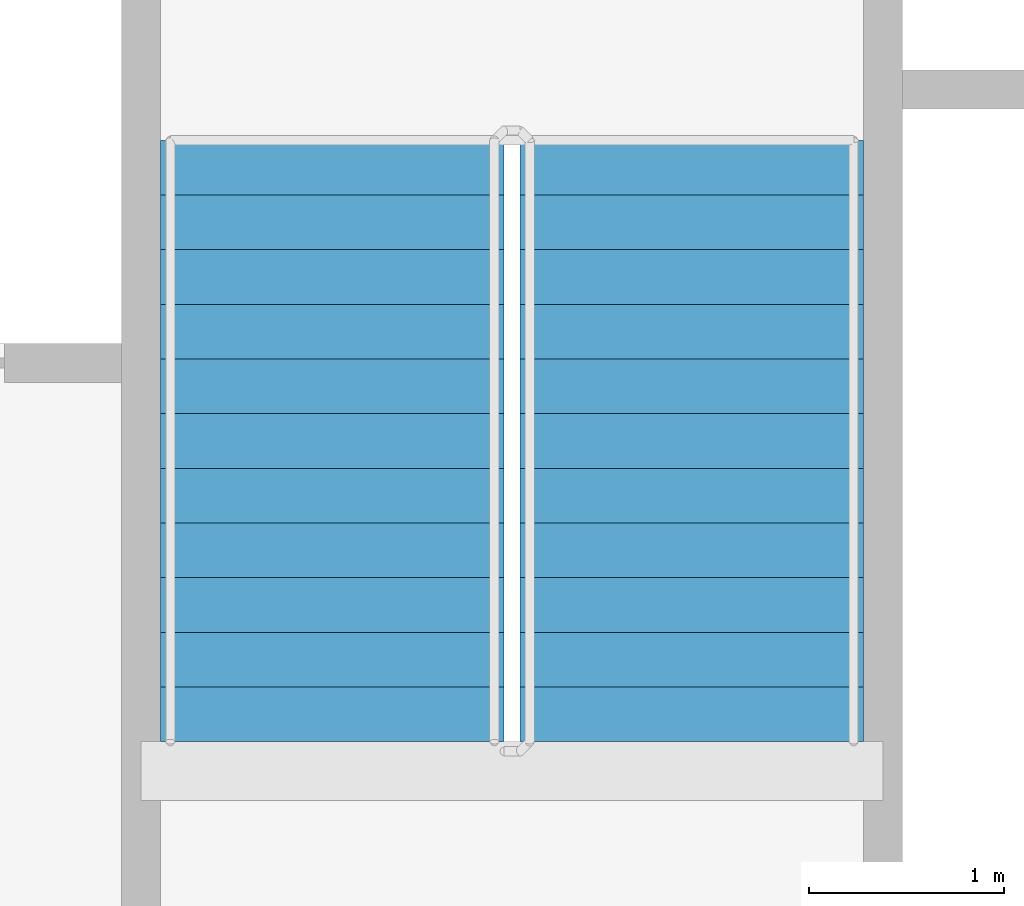
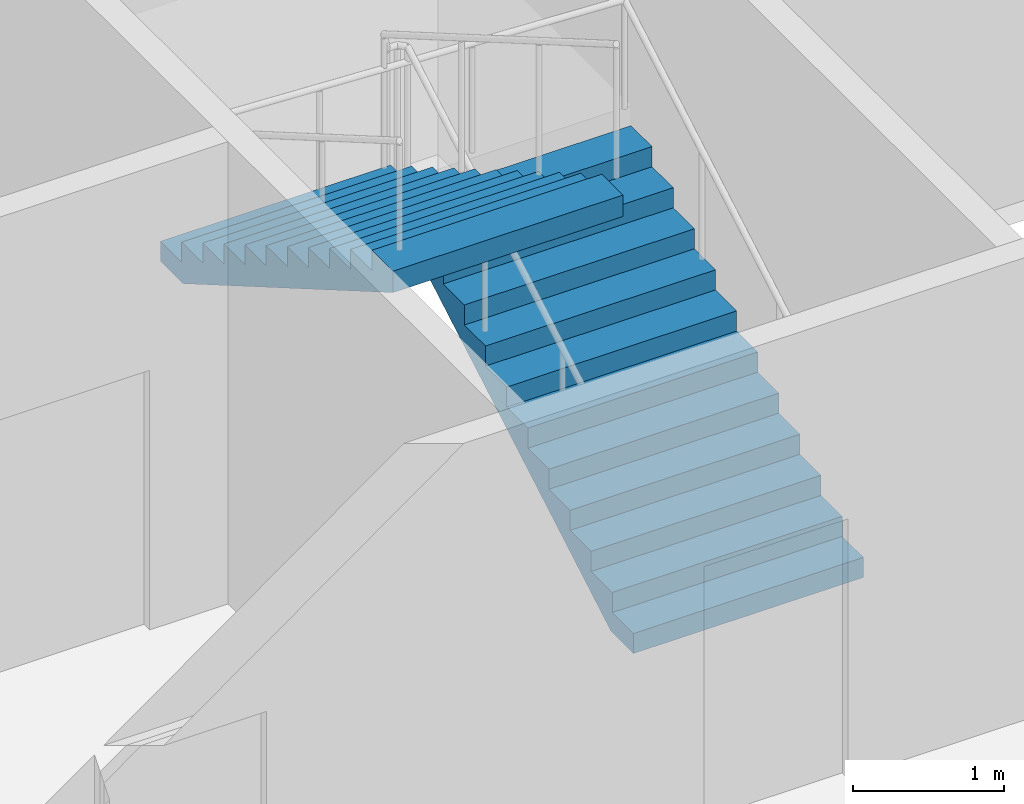
# One storey, part 16 of 21: 2 stair flights, 1 element without a shape of its own.
"""IFC4 building model written with IfcOpenShell, lengths in metres."""

from ifc_helpers import new_model, si_unit, direction, frame, origin, place, context, subcontext, project, spatial, faceted_brep, material, type_object, element, aggregate, save


model = new_model("IFC4")

# Units and contexts
model_context = context("Model", 3, precision=1e-05, world=origin(), true_north=direction((0.0, 1.0)))
body_context = subcontext(model_context, "Body", "Model", "MODEL_VIEW")
ifc_project = project(units=[si_unit("LENGTHUNIT", "METRE"), si_unit("AREAUNIT", "SQUARE_METRE"), si_unit("VOLUMEUNIT", "CUBIC_METRE"), si_unit("PLANEANGLEUNIT", "RADIAN"), si_unit("MASSUNIT", "GRAM", prefix="KILO")], contexts=[model_context])

# Site, building, storey
site_placement = place(None, origin())
site = spatial("IfcSite", under=ifc_project, at=site_placement, CompositionType="ELEMENT")
building_placement = place(site_placement, origin())
building = spatial("IfcBuilding", under=site, at=building_placement, Name="Tarsis Ring Headquarters", CompositionType="ELEMENT")
storey_placement = place(building_placement, frame((0.0, 0.0, 255.199951171875)))
storey = spatial("IfcBuildingStorey", under=building, at=storey_placement, Name="L59", CompositionType="ELEMENT", Elevation=255.199951171875)

# Stair, stair flights
ifc_material_1 = material(Name="Core stair 1760")
stair_type = type_object("IfcStairType", Name="Core stair 1760", PredefinedType="HALF_TURN_STAIR", material=ifc_material_1)
stair_placement = place(storey_placement, origin())
stair = element("IfcStair", 1, at=stair_placement, inside=storey, type_object=stair_type, Name="L59 Exit stair B", PredefinedType="HALF_TURN_STAIR")
ifc_material_2 = material(Name="Concrete C40/50", Category="concrete")
stair_flight_type = type_object("IfcStairFlightType", Name="Core stair flight 1760", PredefinedType="STRAIGHT", material=ifc_material_2)
stair_flight_1_placement = place(storey_placement, frame((5.419921875, 3.659912109375, 0.0), z_axis=(0.0, 0.0, 1.0), x_axis=(0.0, 1.0, 0.0)))
stair_flight_1 = element("IfcStairFlight", 2, at=stair_flight_1_placement, type_object=stair_flight_type, Name="Stair ST2 flight 1", NumberOfRisers=12, NumberOfTreads=11, PredefinedType="STRAIGHT", RiserHeight=0.1625, TreadLength=0.28, context=body_context, shape_type="Brep", body=[
    faceted_brep([(0.0, 0.8798828125, 0.0), (0.0, 0.8798828125, 0.16259765625), (0.280029296875, 0.8798828125, 0.16259765625), (0.280029296875, 0.8798828125, 0.324951171875), (0.56005859375, 0.8798828125, 0.324951171875), (0.56005859375, 0.8798828125, 0.487548828125), (0.840087890625, 0.8798828125, 0.487548828125), (0.840087890625, 0.8798828125, 0.64990234375), (1.1201171875, 0.8798828125, 0.64990234375), (1.1201171875, 0.8798828125, 0.8125), (1.39990234375, 0.8798828125, 0.8125), (1.39990234375, 0.8798828125, 0.97509765625), (1.679931640625, 0.8798828125, 0.97509765625), (1.679931640625, 0.8798828125, 1.137451171875), (1.9599609375, 0.8798828125, 1.137451171875), (1.9599609375, 0.8798828125, 1.300048828125), (2.239990234375, 0.8798828125, 1.300048828125), (2.239990234375, 0.8798828125, 1.46240234375), (2.52001953125, 0.8798828125, 1.46240234375), (2.52001953125, 0.8798828125, 1.625), (2.800048828125, 0.8798828125, 1.625), (2.800048828125, 0.8798828125, 1.78759765625), (3.080078125, 0.8798828125, 1.78759765625), (3.080078125, 0.8798828125, 1.6142578125), (0.298583984375, 0.8798828125, 0.0), (0.298583984375, -0.8798828125, 0.0), (3.080078125, -0.8798828125, 1.6142578125), (3.080078125, -0.8798828125, 1.78759765625), (2.800048828125, -0.8798828125, 1.78759765625), (2.800048828125, -0.8798828125, 1.625), (2.52001953125, -0.8798828125, 1.625), (2.52001953125, -0.8798828125, 1.46240234375), (2.239990234375, -0.8798828125, 1.46240234375), (2.239990234375, -0.8798828125, 1.300048828125), (1.9599609375, -0.8798828125, 1.300048828125), (1.9599609375, -0.8798828125, 1.137451171875), (1.679931640625, -0.8798828125, 1.137451171875), (1.679931640625, -0.8798828125, 0.97509765625), (1.39990234375, -0.8798828125, 0.97509765625), (1.39990234375, -0.8798828125, 0.8125), (1.1201171875, -0.8798828125, 0.8125), (1.1201171875, -0.8798828125, 0.64990234375), (0.840087890625, -0.8798828125, 0.64990234375), (0.840087890625, -0.8798828125, 0.487548828125), (0.56005859375, -0.8798828125, 0.487548828125), (0.56005859375, -0.8798828125, 0.324951171875), (0.280029296875, -0.8798828125, 0.324951171875), (0.280029296875, -0.8798828125, 0.16259765625), (0.0, -0.8798828125, 0.16259765625), (0.0, -0.8798828125, 0.0), (0.0, -0.43994140625, 0.16259765625), (0.0, -0.43994140625, 0.0), (0.0, 0.0, 0.16259765625), (0.0, 0.0, 0.0), (0.0, 0.43994140625, 0.16259765625), (0.0, 0.43994140625, 0.0), (0.280029296875, -0.43994140625, 0.16259765625), (0.280029296875, 0.0, 0.16259765625), (0.280029296875, 0.43994140625, 0.16259765625), (0.280029296875, -0.43994140625, 0.324951171875), (0.280029296875, 0.0, 0.324951171875), (0.280029296875, 0.43994140625, 0.324951171875), (0.56005859375, -0.43994140625, 0.324951171875), (0.56005859375, 0.0, 0.324951171875), (0.56005859375, 0.43994140625, 0.324951171875), (0.56005859375, -0.43994140625, 0.487548828125), (0.56005859375, 0.0, 0.487548828125), (0.56005859375, 0.43994140625, 0.487548828125), (0.840087890625, -0.43994140625, 0.487548828125), (0.840087890625, 0.0, 0.487548828125), (0.840087890625, 0.43994140625, 0.487548828125), (0.840087890625, -0.43994140625, 0.64990234375), (0.840087890625, 0.0, 0.64990234375), (0.840087890625, 0.43994140625, 0.64990234375), (1.1201171875, -0.43994140625, 0.64990234375), (1.1201171875, 0.0, 0.64990234375), (1.1201171875, 0.43994140625, 0.64990234375), (1.1201171875, -0.43994140625, 0.8125), (1.1201171875, 0.0, 0.8125), (1.1201171875, 0.43994140625, 0.8125), (1.39990234375, -0.43994140625, 0.8125), (1.39990234375, 0.0, 0.8125), (1.39990234375, 0.43994140625, 0.8125), (1.39990234375, -0.43994140625, 0.97509765625), (1.39990234375, 0.0, 0.97509765625), (1.39990234375, 0.43994140625, 0.97509765625), (1.679931640625, -0.43994140625, 0.97509765625), (1.679931640625, 0.0, 0.97509765625), (1.679931640625, 0.43994140625, 0.97509765625), (1.679931640625, -0.43994140625, 1.137451171875), (1.679931640625, 0.0, 1.137451171875), (1.679931640625, 0.43994140625, 1.137451171875), (1.9599609375, -0.43994140625, 1.137451171875), (1.9599609375, 0.0, 1.137451171875), (1.9599609375, 0.43994140625, 1.137451171875), (1.9599609375, -0.43994140625, 1.300048828125), (1.9599609375, 0.0, 1.300048828125), (1.9599609375, 0.43994140625, 1.300048828125), (2.239990234375, -0.43994140625, 1.300048828125), (2.239990234375, 0.0, 1.300048828125), (2.239990234375, 0.43994140625, 1.300048828125), (2.239990234375, -0.43994140625, 1.46240234375), (2.239990234375, 0.0, 1.46240234375), (2.239990234375, 0.43994140625, 1.46240234375), (2.52001953125, -0.43994140625, 1.46240234375), (2.52001953125, 0.0, 1.46240234375), (2.52001953125, 0.43994140625, 1.46240234375), (2.52001953125, -0.43994140625, 1.625), (2.52001953125, 0.0, 1.625), (2.52001953125, 0.43994140625, 1.625), (2.800048828125, -0.43994140625, 1.625), (2.800048828125, 0.0, 1.625), (2.800048828125, 0.43994140625, 1.625), (2.800048828125, -0.43994140625, 1.78759765625), (2.800048828125, 0.0, 1.78759765625), (2.800048828125, 0.43994140625, 1.78759765625), (3.080078125, -0.43994140625, 1.78759765625), (3.080078125, 0.0, 1.78759765625), (3.080078125, 0.43994140625, 1.78759765625), (3.080078125, -0.43994140625, 1.6142578125), (3.080078125, 0.0, 1.6142578125), (3.080078125, 0.43994140625, 1.6142578125), (0.298583984375, -0.43994140625, 0.0), (0.298583984375, 0.0, 0.0), (0.298583984375, 0.43994140625, 0.0)], [[[0, 1, 2, 3, 4, 5, 6, 7, 8, 9, 10, 11, 12, 13, 14, 15, 16, 17, 18, 19, 20, 21, 22, 23, 24]], [[25, 26, 27, 28, 29, 30, 31, 32, 33, 34, 35, 36, 37, 38, 39, 40, 41, 42, 43, 44, 45, 46, 47, 48, 49]], [[49, 48, 50, 51]], [[51, 50, 52, 53]], [[53, 52, 54, 55]], [[55, 54, 1, 0]], [[48, 47, 56, 50]], [[50, 56, 57, 52]], [[52, 57, 58, 54]], [[54, 58, 2, 1]], [[47, 46, 59, 56]], [[56, 59, 60, 57]], [[57, 60, 61, 58]], [[58, 61, 3, 2]], [[46, 45, 62, 59]], [[59, 62, 63, 60]], [[60, 63, 64, 61]], [[61, 64, 4, 3]], [[45, 44, 65, 62]], [[62, 65, 66, 63]], [[63, 66, 67, 64]], [[64, 67, 5, 4]], [[44, 43, 68, 65]], [[65, 68, 69, 66]], [[66, 69, 70, 67]], [[67, 70, 6, 5]], [[43, 42, 71, 68]], [[68, 71, 72, 69]], [[69, 72, 73, 70]], [[70, 73, 7, 6]], [[42, 41, 74, 71]], [[71, 74, 75, 72]], [[72, 75, 76, 73]], [[73, 76, 8, 7]], [[41, 40, 77, 74]], [[74, 77, 78, 75]], [[75, 78, 79, 76]], [[76, 79, 9, 8]], [[40, 39, 80, 77]], [[77, 80, 81, 78]], [[78, 81, 82, 79]], [[79, 82, 10, 9]], [[39, 38, 83, 80]], [[80, 83, 84, 81]], [[81, 84, 85, 82]], [[82, 85, 11, 10]], [[38, 37, 86, 83]], [[83, 86, 87, 84]], [[84, 87, 88, 85]], [[85, 88, 12, 11]], [[37, 36, 89, 86]], [[86, 89, 90, 87]], [[87, 90, 91, 88]], [[88, 91, 13, 12]], [[36, 35, 92, 89]], [[89, 92, 93, 90]], [[90, 93, 94, 91]], [[91, 94, 14, 13]], [[35, 34, 95, 92]], [[92, 95, 96, 93]], [[93, 96, 97, 94]], [[94, 97, 15, 14]], [[34, 33, 98, 95]], [[95, 98, 99, 96]], [[96, 99, 100, 97]], [[97, 100, 16, 15]], [[33, 32, 101, 98]], [[98, 101, 102, 99]], [[99, 102, 103, 100]], [[100, 103, 17, 16]], [[32, 31, 104, 101]], [[101, 104, 105, 102]], [[102, 105, 106, 103]], [[103, 106, 18, 17]], [[31, 30, 107, 104]], [[104, 107, 108, 105]], [[105, 108, 109, 106]], [[106, 109, 19, 18]], [[30, 29, 110, 107]], [[107, 110, 111, 108]], [[108, 111, 112, 109]], [[109, 112, 20, 19]], [[29, 28, 113, 110]], [[110, 113, 114, 111]], [[111, 114, 115, 112]], [[112, 115, 21, 20]], [[28, 27, 116, 113]], [[113, 116, 117, 114]], [[114, 117, 118, 115]], [[115, 118, 22, 21]], [[27, 26, 119, 116]], [[116, 119, 120, 117]], [[117, 120, 121, 118]], [[118, 121, 23, 22]], [[26, 25, 122, 119]], [[119, 122, 123, 120]], [[120, 123, 124, 121]], [[121, 124, 24, 23]], [[25, 49, 51, 122]], [[122, 51, 53, 123]], [[123, 53, 55, 124]], [[124, 55, 0, 24]]]),
])
stair_flight_2_placement = place(storey_placement, frame((3.580078125, 6.739990234375, 1.949951171875), z_axis=(0.0, 0.0, 1.0), x_axis=(0.0, -1.0, 0.0)))
stair_flight_2 = element("IfcStairFlight", 3, at=stair_flight_2_placement, type_object=stair_flight_type, Name="Stair ST2 flight 2", NumberOfRisers=12, NumberOfTreads=11, PredefinedType="STRAIGHT", RiserHeight=0.1625, TreadLength=0.28, context=body_context, shape_type="Brep", body=[
    faceted_brep([(0.0, 0.8798828125, 0.0), (0.0, 0.8798828125, 0.16259765625), (0.280029296875, 0.8798828125, 0.16259765625), (0.280029296875, 0.8798828125, 0.324951171875), (0.56005859375, 0.8798828125, 0.324951171875), (0.56005859375, 0.8798828125, 0.487548828125), (0.840087890625, 0.8798828125, 0.487548828125), (0.840087890625, 0.8798828125, 0.64990234375), (1.1201171875, 0.8798828125, 0.64990234375), (1.1201171875, 0.8798828125, 0.8125), (1.39990234375, 0.8798828125, 0.8125), (1.39990234375, 0.8798828125, 0.97509765625), (1.679931640625, 0.8798828125, 0.97509765625), (1.679931640625, 0.8798828125, 1.137451171875), (1.9599609375, 0.8798828125, 1.137451171875), (1.9599609375, 0.8798828125, 1.300048828125), (2.239990234375, 0.8798828125, 1.300048828125), (2.239990234375, 0.8798828125, 1.46240234375), (2.52001953125, 0.8798828125, 1.46240234375), (2.52001953125, 0.8798828125, 1.625), (2.800048828125, 0.8798828125, 1.625), (2.800048828125, 0.8798828125, 1.78759765625), (3.080078125, 0.8798828125, 1.78759765625), (3.080078125, 0.8798828125, 1.6142578125), (0.298583984375, 0.8798828125, 0.0), (0.298583984375, -0.8798828125, 0.0), (3.080078125, -0.8798828125, 1.6142578125), (3.080078125, -0.8798828125, 1.78759765625), (2.800048828125, -0.8798828125, 1.78759765625), (2.800048828125, -0.8798828125, 1.625), (2.52001953125, -0.8798828125, 1.625), (2.52001953125, -0.8798828125, 1.46240234375), (2.239990234375, -0.8798828125, 1.46240234375), (2.239990234375, -0.8798828125, 1.300048828125), (1.9599609375, -0.8798828125, 1.300048828125), (1.9599609375, -0.8798828125, 1.137451171875), (1.679931640625, -0.8798828125, 1.137451171875), (1.679931640625, -0.8798828125, 0.97509765625), (1.39990234375, -0.8798828125, 0.97509765625), (1.39990234375, -0.8798828125, 0.8125), (1.1201171875, -0.8798828125, 0.8125), (1.1201171875, -0.8798828125, 0.64990234375), (0.840087890625, -0.8798828125, 0.64990234375), (0.840087890625, -0.8798828125, 0.487548828125), (0.56005859375, -0.8798828125, 0.487548828125), (0.56005859375, -0.8798828125, 0.324951171875), (0.280029296875, -0.8798828125, 0.324951171875), (0.280029296875, -0.8798828125, 0.16259765625), (0.0, -0.8798828125, 0.16259765625), (0.0, -0.8798828125, 0.0), (0.0, -0.43994140625, 0.16259765625), (0.0, -0.43994140625, 0.0), (0.0, 0.0, 0.16259765625), (0.0, 0.0, 0.0), (0.0, 0.43994140625, 0.16259765625), (0.0, 0.43994140625, 0.0), (0.280029296875, -0.43994140625, 0.16259765625), (0.280029296875, 0.0, 0.16259765625), (0.280029296875, 0.43994140625, 0.16259765625), (0.280029296875, -0.43994140625, 0.324951171875), (0.280029296875, 0.0, 0.324951171875), (0.280029296875, 0.43994140625, 0.324951171875), (0.56005859375, -0.43994140625, 0.324951171875), (0.56005859375, 0.0, 0.324951171875), (0.56005859375, 0.43994140625, 0.324951171875), (0.56005859375, -0.43994140625, 0.487548828125), (0.56005859375, 0.0, 0.487548828125), (0.56005859375, 0.43994140625, 0.487548828125), (0.840087890625, -0.43994140625, 0.487548828125), (0.840087890625, 0.0, 0.487548828125), (0.840087890625, 0.43994140625, 0.487548828125), (0.840087890625, -0.43994140625, 0.64990234375), (0.840087890625, 0.0, 0.64990234375), (0.840087890625, 0.43994140625, 0.64990234375), (1.1201171875, -0.43994140625, 0.64990234375), (1.1201171875, 0.0, 0.64990234375), (1.1201171875, 0.43994140625, 0.64990234375), (1.1201171875, -0.43994140625, 0.8125), (1.1201171875, 0.0, 0.8125), (1.1201171875, 0.43994140625, 0.8125), (1.39990234375, -0.43994140625, 0.8125), (1.39990234375, 0.0, 0.8125), (1.39990234375, 0.43994140625, 0.8125), (1.39990234375, -0.43994140625, 0.97509765625), (1.39990234375, 0.0, 0.97509765625), (1.39990234375, 0.43994140625, 0.97509765625), (1.679931640625, -0.43994140625, 0.97509765625), (1.679931640625, 0.0, 0.97509765625), (1.679931640625, 0.43994140625, 0.97509765625), (1.679931640625, -0.43994140625, 1.137451171875), (1.679931640625, 0.0, 1.137451171875), (1.679931640625, 0.43994140625, 1.137451171875), (1.9599609375, -0.43994140625, 1.137451171875), (1.9599609375, 0.0, 1.137451171875), (1.9599609375, 0.43994140625, 1.137451171875), (1.9599609375, -0.43994140625, 1.300048828125), (1.9599609375, 0.0, 1.300048828125), (1.9599609375, 0.43994140625, 1.300048828125), (2.239990234375, -0.43994140625, 1.300048828125), (2.239990234375, 0.0, 1.300048828125), (2.239990234375, 0.43994140625, 1.300048828125), (2.239990234375, -0.43994140625, 1.46240234375), (2.239990234375, 0.0, 1.46240234375), (2.239990234375, 0.43994140625, 1.46240234375), (2.52001953125, -0.43994140625, 1.46240234375), (2.52001953125, 0.0, 1.46240234375), (2.52001953125, 0.43994140625, 1.46240234375), (2.52001953125, -0.43994140625, 1.625), (2.52001953125, 0.0, 1.625), (2.52001953125, 0.43994140625, 1.625), (2.800048828125, -0.43994140625, 1.625), (2.800048828125, 0.0, 1.625), (2.800048828125, 0.43994140625, 1.625), (2.800048828125, -0.43994140625, 1.78759765625), (2.800048828125, 0.0, 1.78759765625), (2.800048828125, 0.43994140625, 1.78759765625), (3.080078125, -0.43994140625, 1.78759765625), (3.080078125, 0.0, 1.78759765625), (3.080078125, 0.43994140625, 1.78759765625), (3.080078125, -0.43994140625, 1.6142578125), (3.080078125, 0.0, 1.6142578125), (3.080078125, 0.43994140625, 1.6142578125), (0.298583984375, -0.43994140625, 0.0), (0.298583984375, 0.0, 0.0), (0.298583984375, 0.43994140625, 0.0)], [[[0, 1, 2, 3, 4, 5, 6, 7, 8, 9, 10, 11, 12, 13, 14, 15, 16, 17, 18, 19, 20, 21, 22, 23, 24]], [[25, 26, 27, 28, 29, 30, 31, 32, 33, 34, 35, 36, 37, 38, 39, 40, 41, 42, 43, 44, 45, 46, 47, 48, 49]], [[49, 48, 50, 51]], [[51, 50, 52, 53]], [[53, 52, 54, 55]], [[55, 54, 1, 0]], [[48, 47, 56, 50]], [[50, 56, 57, 52]], [[52, 57, 58, 54]], [[54, 58, 2, 1]], [[47, 46, 59, 56]], [[56, 59, 60, 57]], [[57, 60, 61, 58]], [[58, 61, 3, 2]], [[46, 45, 62, 59]], [[59, 62, 63, 60]], [[60, 63, 64, 61]], [[61, 64, 4, 3]], [[45, 44, 65, 62]], [[62, 65, 66, 63]], [[63, 66, 67, 64]], [[64, 67, 5, 4]], [[44, 43, 68, 65]], [[65, 68, 69, 66]], [[66, 69, 70, 67]], [[67, 70, 6, 5]], [[43, 42, 71, 68]], [[68, 71, 72, 69]], [[69, 72, 73, 70]], [[70, 73, 7, 6]], [[42, 41, 74, 71]], [[71, 74, 75, 72]], [[72, 75, 76, 73]], [[73, 76, 8, 7]], [[41, 40, 77, 74]], [[74, 77, 78, 75]], [[75, 78, 79, 76]], [[76, 79, 9, 8]], [[40, 39, 80, 77]], [[77, 80, 81, 78]], [[78, 81, 82, 79]], [[79, 82, 10, 9]], [[39, 38, 83, 80]], [[80, 83, 84, 81]], [[81, 84, 85, 82]], [[82, 85, 11, 10]], [[38, 37, 86, 83]], [[83, 86, 87, 84]], [[84, 87, 88, 85]], [[85, 88, 12, 11]], [[37, 36, 89, 86]], [[86, 89, 90, 87]], [[87, 90, 91, 88]], [[88, 91, 13, 12]], [[36, 35, 92, 89]], [[89, 92, 93, 90]], [[90, 93, 94, 91]], [[91, 94, 14, 13]], [[35, 34, 95, 92]], [[92, 95, 96, 93]], [[93, 96, 97, 94]], [[94, 97, 15, 14]], [[34, 33, 98, 95]], [[95, 98, 99, 96]], [[96, 99, 100, 97]], [[97, 100, 16, 15]], [[33, 32, 101, 98]], [[98, 101, 102, 99]], [[99, 102, 103, 100]], [[100, 103, 17, 16]], [[32, 31, 104, 101]], [[101, 104, 105, 102]], [[102, 105, 106, 103]], [[103, 106, 18, 17]], [[31, 30, 107, 104]], [[104, 107, 108, 105]], [[105, 108, 109, 106]], [[106, 109, 19, 18]], [[30, 29, 110, 107]], [[107, 110, 111, 108]], [[108, 111, 112, 109]], [[109, 112, 20, 19]], [[29, 28, 113, 110]], [[110, 113, 114, 111]], [[111, 114, 115, 112]], [[112, 115, 21, 20]], [[28, 27, 116, 113]], [[113, 116, 117, 114]], [[114, 117, 118, 115]], [[115, 118, 22, 21]], [[27, 26, 119, 116]], [[116, 119, 120, 117]], [[117, 120, 121, 118]], [[118, 121, 23, 22]], [[26, 25, 122, 119]], [[119, 122, 123, 120]], [[120, 123, 124, 121]], [[121, 124, 24, 23]], [[25, 49, 51, 122]], [[122, 51, 53, 123]], [[123, 53, 55, 124]], [[124, 55, 0, 24]]]),
])
aggregate(stair, [stair_flight_1, stair_flight_2])

save(model, "model.ifc")
